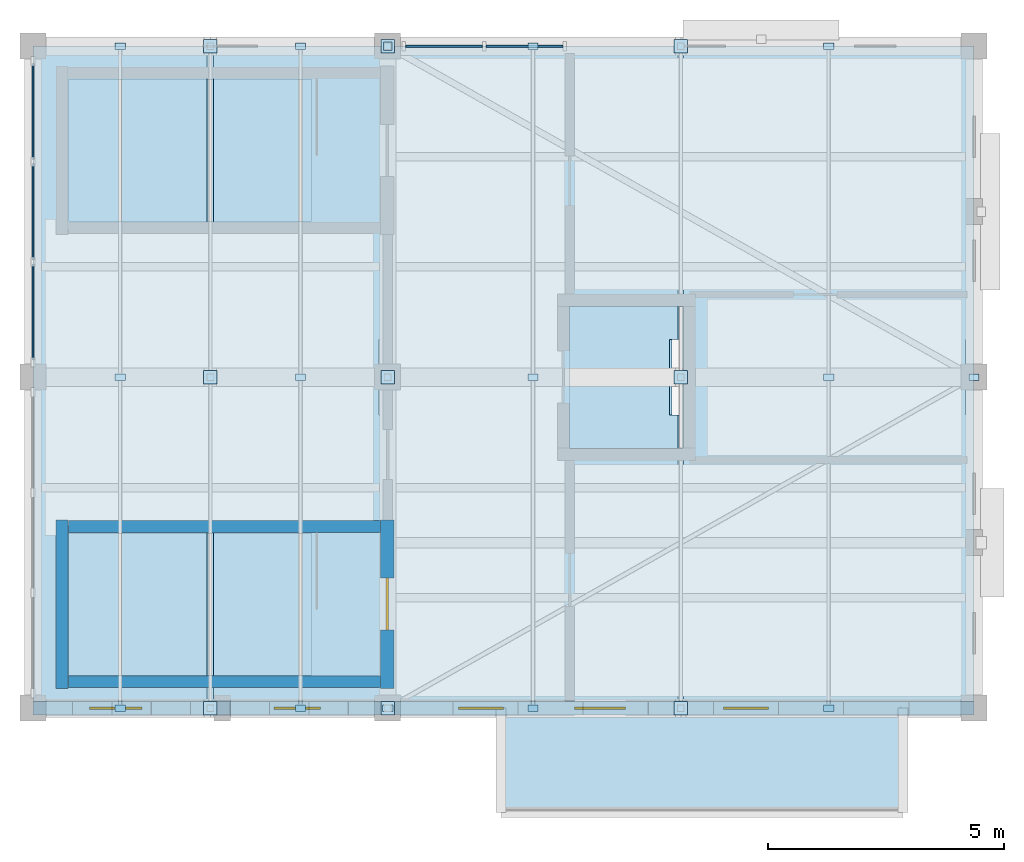
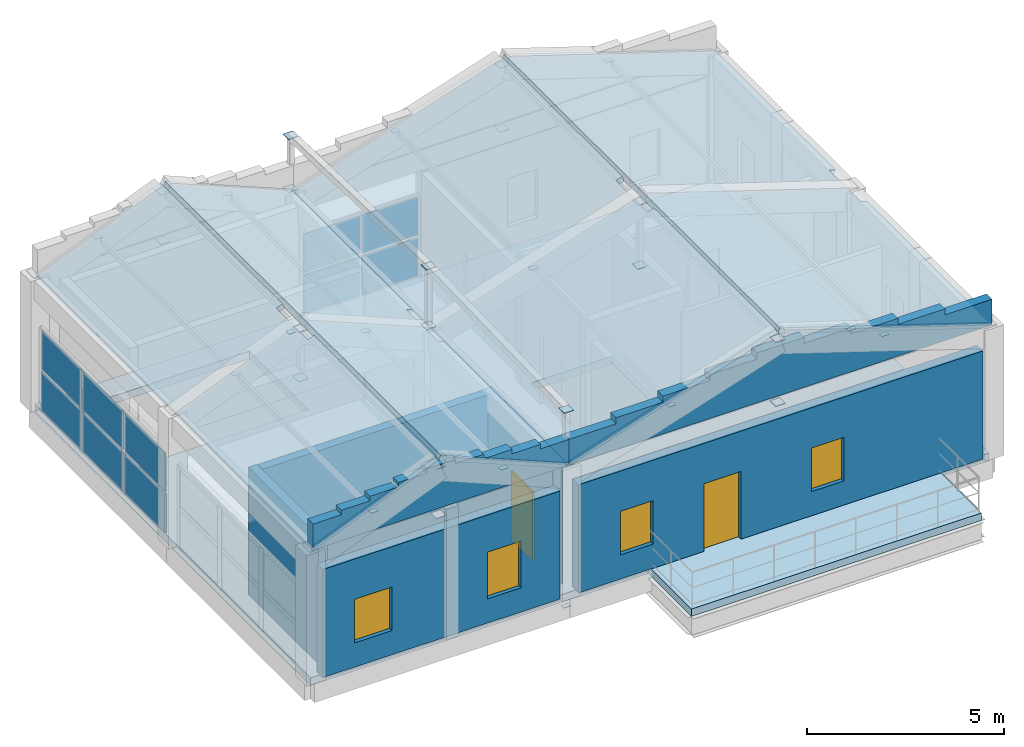
# One storey, part 6 of 8: 43 plates, 8 walls, 6 slabs, 4 windows, 2 doors, 6 openings, 2 elements without a shape of their own.
"""IFC4 building model written with IfcOpenShell, lengths in metres."""

from ifc_helpers import new_model, si_unit, direction, frame, frame_2d, origin, origin_2d, place, context, subcontext, project, spatial, polyline, rectangle, outline, extrude, material, layer, layer_set, type_object, element, fill, aggregate, save


model = new_model("IFC4")

# Units and contexts
model_context = context("Model", 3, precision=1e-05, world=origin(), true_north=direction((0.0, 1.0)))
body_context = subcontext(model_context, "Body", "Model", "MODEL_VIEW")
ifc_project = project(units=[si_unit("LENGTHUNIT", "METRE"), si_unit("AREAUNIT", "SQUARE_METRE"), si_unit("VOLUMEUNIT", "CUBIC_METRE"), si_unit("PLANEANGLEUNIT", "RADIAN"), si_unit("MASSUNIT", "GRAM", prefix="KILO")], contexts=[model_context])

# Site, building, storey
site_placement = place(None, origin())
site = spatial("IfcSite", under=ifc_project, at=site_placement, CompositionType="ELEMENT")
building_placement = place(site_placement, origin())
building = spatial("IfcBuilding", under=site, at=building_placement, Name="Trellovar Central Fire Station", CompositionType="ELEMENT")
storey_placement = place(building_placement, frame((0.0, 0.0, 22.050048828125)))
storey = spatial("IfcBuildingStorey", under=building, at=storey_placement, Name="L06", CompositionType="ELEMENT", Elevation=22.050048828125)

# Curtain wall, plate
ifc_material_1 = material(Name="Thermally broken bronze anodized aluminum", Category="aluminium")
ifc_layer_1 = layer(ifc_material_1, 0.159912109375)
ifc_layer_set_1 = layer_set([ifc_layer_1], Name="Thermally broken bronze anodized aluminum")
curtain_wall_type_1 = type_object("IfcCurtainWallType", Name="CW-09", PredefinedType="NOTDEFINED", material=ifc_layer_set_1)
curtain_wall_1_placement = place(storey_placement, origin())
curtain_wall_1 = element("IfcCurtainWall", 1, at=curtain_wall_1_placement, inside=storey, type_object=curtain_wall_type_1, Name="V2 L06 west drill yard curtain wall", PredefinedType="NOTDEFINED")
ifc_material_2 = material(Name="Double low-E solar control insulated glazing", Category="glass")
ifc_layer_2 = layer(ifc_material_2, 0.031982421875)
ifc_layer_set_2 = layer_set([ifc_layer_2], Name="Double low-E solar control insulated glazing")
plate_type_1 = type_object("IfcPlateType", Name="CWP-GL1", PredefinedType="CURTAIN_PANEL", material=ifc_layer_set_2)
plate_1_placement = place(storey_placement, frame((141.10009765625, 69.5, 1.31494140625), z_axis=(0.0, 0.0, 1.0), x_axis=(0.0, 1.0, 0.0)))
plate_1 = element("IfcPlate", 2, at=plate_1_placement, type_object=plate_type_1, Name="CW3-L06-0170 panel 2-2", PredefinedType="CURTAIN_PANEL", context=body_context, shape_type="SweptSolid", body=[
    extrude(rectangle(XDim=2.0400390625, YDim=0.031982421875, at=origin_2d()), origin(), (0.0, 0.0, 1.0), 1.195068359375),
])

ifc_material_3 = material(Name="Thermally broken bronze anodized aluminum", Category="aluminium")
ifc_layer_3 = layer(ifc_material_3, 0.159912109375)
ifc_layer_set_3 = layer_set([ifc_layer_3], Name="Thermally broken bronze anodized aluminum")
curtain_wall_type_2 = type_object("IfcCurtainWallType", Name="CW-08", PredefinedType="NOTDEFINED", material=ifc_layer_set_3)
curtain_wall_2_placement = place(storey_placement, origin())
curtain_wall_2 = element("IfcCurtainWall", 3, at=curtain_wall_2_placement, inside=storey, type_object=curtain_wall_type_2, Name="V2 L06 north lobby curtain wall", PredefinedType="NOTDEFINED")
ifc_material_4 = material(Name="Double low-E solar control insulated glazing", Category="glass")
ifc_layer_4 = layer(ifc_material_4, 0.035888671875)
ifc_layer_set_4 = layer_set([ifc_layer_4], Name="Double low-E solar control insulated glazing")
plate_type_2 = type_object("IfcPlateType", Name="CWP-GL2", PredefinedType="CURTAIN_PANEL", material=ifc_layer_set_4)
plate_2_placement = place(storey_placement, frame((151.49755859375, 73.0, 1.31494140625), z_axis=(0.0, 0.0, 1.0), x_axis=(-1.0, 0.0, 0.0)))
plate_2 = element("IfcPlate", 4, at=plate_2_placement, type_object=plate_type_2, Name="CW3-L06-0168 panel 1-2", PredefinedType="CURTAIN_PANEL", context=body_context, shape_type="SweptSolid", body=[
    extrude(rectangle(XDim=1.625, YDim=0.035888671875, at=origin_2d()), origin(), (0.0, 0.0, 1.0), 1.195068359375),
])

# Plate
plate_3_placement = place(storey_placement, frame((141.10009765625, 71.6201171875, 1.31494140625), z_axis=(0.0, 0.0, 1.0), x_axis=(0.0, 1.0, 0.0)))
plate_3 = element("IfcPlate", 5, at=plate_3_placement, type_object=plate_type_2, Name="CW3-L06-0170 panel 3-2", PredefinedType="CURTAIN_PANEL", context=body_context, shape_type="SweptSolid", body=[
    extrude(rectangle(XDim=2.0400390625, YDim=0.035888671875, at=origin_2d()), origin(), (0.0, 0.0, 1.0), 1.195068359375),
])

ifc_material_5 = material(Name="Double low-E solar control insulated glazing", Category="glass")
ifc_layer_5 = layer(ifc_material_5, 0.033935546875)
ifc_layer_set_5 = layer_set([ifc_layer_5], Name="Double low-E solar control insulated glazing")
plate_type_3 = type_object("IfcPlateType", Name="CWP-GL3", PredefinedType="CURTAIN_PANEL", material=ifc_layer_set_5)
plate_4_placement = place(storey_placement, frame((149.79248046875, 73.0, 1.31494140625), z_axis=(0.0, 0.0, 1.0), x_axis=(-1.0, 0.0, 0.0)))
plate_4 = element("IfcPlate", 6, at=plate_4_placement, type_object=plate_type_3, Name="CW3-L06-0168 panel 2-2", PredefinedType="CURTAIN_PANEL", context=body_context, shape_type="SweptSolid", body=[
    extrude(rectangle(XDim=1.625, YDim=0.033935546875, at=origin_2d()), origin(), (0.0, 0.0, 1.0), 1.195068359375),
])

ifc_material_6 = material(Name="Double low-E solar control insulated glazing", Category="glass")
ifc_layer_6 = layer(ifc_material_6, 0.030029296875)
ifc_layer_set_6 = layer_set([ifc_layer_6], Name="Double low-E solar control insulated glazing")
plate_type_4 = type_object("IfcPlateType", Name="CWP-GL4", PredefinedType="CURTAIN_PANEL", material=ifc_layer_set_6)
plate_5_placement = place(storey_placement, frame((141.10009765625, 67.3798828125, 1.31494140625), z_axis=(0.0, 0.0, 1.0), x_axis=(0.0, 1.0, 0.0)))
plate_5 = element("IfcPlate", 7, at=plate_5_placement, type_object=plate_type_4, Name="CW3-L06-0170 panel 1-2", PredefinedType="CURTAIN_PANEL", context=body_context, shape_type="SweptSolid", body=[
    extrude(rectangle(XDim=2.0400390625, YDim=0.030029296875, at=origin_2d()), origin(), (0.0, 0.0, 1.0), 1.195068359375),
])

ifc_material_7 = material(Name="Glazed ceramic trencadis and terracotta panel", Category="masonry")
ifc_layer_7 = layer(ifc_material_7, 0.048095703125)
ifc_layer_set_7 = layer_set([ifc_layer_7], Name="Glazed ceramic trencadis and terracotta panel")
plate_type_5 = type_object("IfcPlateType", Name="CWP-SP1", PredefinedType="CURTAIN_PANEL", material=ifc_layer_set_7)
plate_6_placement = place(storey_placement, frame((151.49755859375, 73.0, 0.0400390625), z_axis=(0.0, 0.0, 1.0), x_axis=(-1.0, 0.0, 0.0)))
plate_6 = element("IfcPlate", 8, at=plate_6_placement, type_object=plate_type_5, Name="CW3-L06-0168 panel 1-1", PredefinedType="CURTAIN_PANEL", context=body_context, shape_type="SweptSolid", body=[
    extrude(rectangle(XDim=1.625, YDim=0.048095703125, at=origin_2d()), origin(), (0.0, 0.0, 1.0), 1.195068359375),
])

plate_7_placement = place(storey_placement, frame((141.10009765625, 67.3798828125, 0.0400390625), z_axis=(0.0, 0.0, 1.0), x_axis=(0.0, 1.0, 0.0)))
plate_7 = element("IfcPlate", 9, at=plate_7_placement, type_object=plate_type_5, Name="CW3-L06-0170 panel 1-1", PredefinedType="CURTAIN_PANEL", context=body_context, shape_type="SweptSolid", body=[
    extrude(rectangle(XDim=2.0400390625, YDim=0.048095703125, at=origin_2d()), origin(), (0.0, 0.0, 1.0), 1.195068359375),
])

plate_8_placement = place(storey_placement, frame((141.10009765625, 71.6201171875, 0.0400390625), z_axis=(0.0, 0.0, 1.0), x_axis=(0.0, 1.0, 0.0)))
plate_8 = element("IfcPlate", 10, at=plate_8_placement, type_object=plate_type_5, Name="CW3-L06-0170 panel 3-1", PredefinedType="CURTAIN_PANEL", context=body_context, shape_type="SweptSolid", body=[
    extrude(rectangle(XDim=2.0400390625, YDim=0.048095703125, at=origin_2d()), origin(), (0.0, 0.0, 1.0), 1.195068359375),
])

ifc_material_8 = material(Name="Glazed ceramic trencadis and terracotta panel", Category="masonry")
ifc_layer_8 = layer(ifc_material_8, 0.044921875)
ifc_layer_set_8 = layer_set([ifc_layer_8], Name="Glazed ceramic trencadis and terracotta panel")
plate_type_6 = type_object("IfcPlateType", Name="CWP-SP2", PredefinedType="CURTAIN_PANEL", material=ifc_layer_set_8)
plate_9_placement = place(storey_placement, frame((149.79248046875, 73.0, 0.0400390625), z_axis=(0.0, 0.0, 1.0), x_axis=(-1.0, 0.0, 0.0)))
plate_9 = element("IfcPlate", 11, at=plate_9_placement, type_object=plate_type_6, Name="CW3-L06-0168 panel 2-1", PredefinedType="CURTAIN_PANEL", context=body_context, shape_type="SweptSolid", body=[
    extrude(rectangle(XDim=1.625, YDim=0.044921875, at=origin_2d()), origin(), (0.0, 0.0, 1.0), 1.195068359375),
])

aggregate(curtain_wall_2, [plate_6, plate_2, plate_9, plate_4])

plate_10_placement = place(storey_placement, frame((141.10009765625, 69.5, 0.0400390625), z_axis=(0.0, 0.0, 1.0), x_axis=(0.0, 1.0, 0.0)))
plate_10 = element("IfcPlate", 12, at=plate_10_placement, type_object=plate_type_6, Name="CW3-L06-0170 panel 2-1", PredefinedType="CURTAIN_PANEL", context=body_context, shape_type="SweptSolid", body=[
    extrude(rectangle(XDim=2.0400390625, YDim=0.044921875, at=origin_2d()), origin(), (0.0, 0.0, 1.0), 1.195068359375),
])

aggregate(curtain_wall_1, [plate_7, plate_5, plate_10, plate_1, plate_8, plate_3])

# Plates
ifc_material_9 = material(Name="Steel ASTM A36", Category="steel")
ifc_layer_9 = layer(ifc_material_9, 0.02001953125)
ifc_layer_set_9 = layer_set([ifc_layer_9], Name="Steel ASTM A36")
plate_type_7 = type_object("IfcPlateType", Name="PLT-EP2", PredefinedType="SHEET", material=ifc_layer_set_9)
for number, where, z_axis, x_axis, name in (
    (13, (144.85009765625, 59.0, 3.739990234375), (0.0, 0.0, 1.0), (1.0, 0.0, 0.0), "HSS end-cap plate 501"),
    (14, (144.85009765625, 59.0, 5.27001953125), (0.0, 0.0, 1.0), (1.0, 0.0, 0.0), "HSS end-cap plate 502"),
    (15, (144.85009765625, 66.0, 3.739990234375), (0.0, 0.0, 1.0), (1.0, 0.0, 0.0), "HSS end-cap plate 503"),
    (16, (144.85009765625, 66.0, 5.27001953125), (0.0, 0.0, 1.0), (1.0, 0.0, 0.0), "HSS end-cap plate 504"),
    (17, (144.85009765625, 73.0, 3.739990234375), (0.0, 0.0, 1.0), (1.0, 0.0, 0.0), "HSS end-cap plate 505"),
    (18, (144.85009765625, 73.0, 5.27001953125), (0.0, 0.0, 1.0), (1.0, 0.0, 0.0), "HSS end-cap plate 506"),
    (19, (154.800048828125, 59.0, 3.739990234375), (0.0, 0.0, 1.0), (1.0, 0.0, 0.0), "HSS end-cap plate 513"),
    (20, (154.800048828125, 59.0, 5.719970703125), (0.0, 0.0, 1.0), (1.0, 0.0, 0.0), "HSS end-cap plate 514"),
    (21, (154.800048828125, 66.0, 3.739990234375), (0.0, 0.0, 1.0), (1.0, 0.0, 0.0), "HSS end-cap plate 515"),
    (22, (154.800048828125, 66.0, 5.719970703125), (0.0, 0.0, 1.0), (1.0, 0.0, 0.0), "HSS end-cap plate 516"),
    (23, (154.800048828125, 73.0, 3.739990234375), (0.0, 0.0, 1.0), (1.0, 0.0, 0.0), "HSS end-cap plate 517"),
    (24, (154.800048828125, 73.0, 5.719970703125), (0.0, 0.0, 1.0), (1.0, 0.0, 0.0), "HSS end-cap plate 518"),
    (25, (148.60009765625, 59.0, 4.0400390625), (0.0, 0.0, 1.0), (1.0, 0.0, 0.0), "HSS end-cap plate 525"),
    (26, (148.60009765625, 59.0, 5.68994140625), (0.0, 0.0, 1.0), (1.0, 0.0, 0.0), "HSS end-cap plate 526"),
    (27, (148.60009765625, 66.0, 4.0400390625), (0.0, 0.0, 1.0), (1.0, 0.0, 0.0), "HSS end-cap plate 527"),
    (28, (148.60009765625, 66.0, 5.889892578125), (0.0, 0.0, 1.0), (1.0, 0.0, 0.0), "HSS end-cap plate 528"),
    (29, (148.60009765625, 73.0, 4.0400390625), (0.0, 0.0, 1.0), (1.0, 0.0, 0.0), "HSS end-cap plate 529"),
    (30, (148.60009765625, 73.0, 5.68994140625), (0.0, 0.0, 1.0), (1.0, 0.0, 0.0), "HSS end-cap plate 530"),
):
    element("IfcPlate", number, at=place(storey_placement, frame(where, z_axis=z_axis, x_axis=x_axis)), inside=storey, type_object=plate_type_7, Name=name, PredefinedType="SHEET", context=body_context, shape_type="SweptSolid", body=[
        extrude(rectangle(XDim=0.280029296875, YDim=0.280029296875, at=origin_2d()), origin(), (0.0, 0.0, 1.0), 0.02001953125),
    ])
ifc_material_10 = material(Name="Steel ASTM A36", Category="steel")
ifc_layer_10 = layer(ifc_material_10, 0.01611328125)
ifc_layer_set_10 = layer_set([ifc_layer_10], Name="Steel ASTM A36")
plate_type_8 = type_object("IfcPlateType", Name="PLT-EP4", PredefinedType="SHEET", material=ifc_layer_set_10)
for number, where, z_axis, x_axis, name in (
    (31, (142.9423828125, 59.0, 4.5234375), (0.0, 0.0, 1.0), (1.0, 0.0, 0.0), "HSS end-cap plate 507"),
    (32, (142.9423828125, 66.0, 4.5234375), (0.0, 0.0, 1.0), (1.0, 0.0, 0.0), "HSS end-cap plate 508"),
    (33, (142.9423828125, 73.0, 4.5234375), (0.0, 0.0, 1.0), (1.0, 0.0, 0.0), "HSS end-cap plate 509"),
    (34, (146.757568359375, 59.0, 4.5234375), (0.0, 0.0, 1.0), (1.0, 0.0, 0.0), "HSS end-cap plate 510"),
    (35, (146.757568359375, 66.0, 4.5234375), (0.0, 0.0, 1.0), (1.0, 0.0, 0.0), "HSS end-cap plate 511"),
    (36, (146.757568359375, 73.0, 4.5234375), (0.0, 0.0, 1.0), (1.0, 0.0, 0.0), "HSS end-cap plate 512"),
    (37, (151.673828125, 59.0, 4.75341796875), (0.0, 0.0, 1.0), (1.0, 0.0, 0.0), "HSS end-cap plate 519"),
    (38, (151.673828125, 66.0, 4.75341796875), (0.0, 0.0, 1.0), (1.0, 0.0, 0.0), "HSS end-cap plate 520"),
    (39, (151.673828125, 73.0, 4.75341796875), (0.0, 0.0, 1.0), (1.0, 0.0, 0.0), "HSS end-cap plate 521"),
    (40, (157.926025390625, 59.0, 4.75341796875), (0.0, 0.0, 1.0), (1.0, 0.0, 0.0), "HSS end-cap plate 522"),
    (41, (157.926025390625, 66.0, 4.75341796875), (0.0, 0.0, 1.0), (1.0, 0.0, 0.0), "HSS end-cap plate 523"),
    (42, (157.926025390625, 73.0, 4.75341796875), (0.0, 0.0, 1.0), (1.0, 0.0, 0.0), "HSS end-cap plate 524"),
    (43, (148.60009765625, 59.0, -0.398193359375), (0.0, 0.0, 1.0), (1.0, 0.0, 0.0), "HSS end-cap plate 540"),
    (44, (161.0, 66.0, -0.398193359375), (0.0, 0.0, 1.0), (1.0, 0.0, 0.0), "HSS end-cap plate 541"),
):
    element("IfcPlate", number, at=place(storey_placement, frame(where, z_axis=z_axis, x_axis=x_axis)), inside=storey, type_object=plate_type_8, Name=name, PredefinedType="SHEET", context=body_context, shape_type="SweptSolid", body=[
        extrude(rectangle(XDim=0.219970703125, YDim=0.139892578125, at=origin_2d()), origin(), (0.0, 0.0, 1.0), 0.01611328125),
    ])
ifc_material_11 = material(Name="Steel ASTM A36", Category="steel")
ifc_layer_11 = layer(ifc_material_11, 0.01611328125)
ifc_layer_set_11 = layer_set([ifc_layer_11], Name="Steel ASTM A36")
plate_type_9 = type_object("IfcPlateType", Name="PLT-EP5", PredefinedType="SHEET", material=ifc_layer_set_11)
plate_11_placement = place(storey_placement, frame((148.60009765625, 73.0, -0.398193359375), z_axis=(0.0, 0.0, 1.0), x_axis=(1.0, 0.0, 0.0)))
element("IfcPlate", 45, at=plate_11_placement, inside=storey, type_object=plate_type_9, Name="HSS end-cap plate 542", PredefinedType="SHEET", context=body_context, shape_type="SweptSolid", body=[
    extrude(rectangle(XDim=0.179931640625, YDim=0.179931640625, at=origin_2d()), origin(), (0.0, 0.0, 1.0), 0.01611328125),
])

# Slabs
ifc_material_12 = material(Name="Concrete C40/50", Category="concrete")
ifc_layer_12 = layer(ifc_material_12, 0.239990234375)
ifc_layer_set_12 = layer_set([ifc_layer_12], Name="Concrete C40/50")
slab_type_1 = type_object("IfcSlabType", Name="SLB-FL240", PredefinedType="FLOOR", material=ifc_layer_set_12)
slab_1_placement = place(storey_placement, frame((0.0, 0.0, -0.239990234375)))
element("IfcSlab", 46, at=slab_1_placement, inside=storey, type_object=slab_type_1, Name="V2 Drill Tower L06 training deck slab", PredefinedType="FLOOR", context=body_context, shape_type="SweptSolid", body=[
    extrude(outline(polyline([(141.10009765625, 59.0), (161.0, 59.0), (161.0, 73.0), (141.10009765625, 73.0), (141.10009765625, 59.0)]), holes=[polyline([(146.989990234375, 62.699951171875), (141.85009765625, 62.699951171875), (141.85009765625, 59.699951171875), (146.989990234375, 59.699951171875), (146.989990234375, 62.699951171875)]), polyline([(146.989990234375, 72.300048828125), (141.85009765625, 72.300048828125), (141.85009765625, 69.300048828125), (146.989990234375, 69.300048828125), (146.989990234375, 72.300048828125)]), polyline([(152.449951171875, 64.5), (154.85009765625, 64.5), (154.85009765625, 67.5), (152.449951171875, 67.5), (152.449951171875, 64.5)])]), origin(), (0.0, 0.0, 1.0), 0.239990234375),
])
ifc_material_13 = material(Name="Concrete C40/50", Category="concrete")
ifc_layer_13 = layer(ifc_material_13, 0.22998046875)
ifc_layer_set_13 = layer_set([ifc_layer_13], Name="Concrete C40/50")
slab_type_2 = type_object("IfcSlabType", Name="SLB-TER230", PredefinedType="FLOOR", material=ifc_layer_set_13)
slab_2_placement = place(storey_placement, frame((0.0, 0.0, -0.22998046875)))
element("IfcSlab", 47, at=slab_2_placement, inside=storey, type_object=slab_type_2, Name="V2 L06 walkable outdoor terrace slab", PredefinedType="FLOOR", context=body_context, shape_type="SweptSolid", body=[
    extrude(outline(polyline([(151.0, 56.800048828125), (159.5, 56.800048828125), (159.5, 59.0), (151.0, 59.0), (151.0, 56.800048828125)])), origin(), (0.0, 0.0, 1.0), 0.22998046875),
])
ifc_material_14 = material(Name="Concrete C40/50", Category="concrete")
ifc_layer_14 = layer(ifc_material_14, 0.169921875)
ifc_layer_set_14 = layer_set([ifc_layer_14], Name="Concrete C40/50")
slab_type_3 = type_object("IfcSlabType", Name="SLB-VLT170", PredefinedType="ROOF", material=ifc_layer_set_14)
slab_3_placement = place(storey_placement, frame((141.10205078125, 59.0, 4.05078125), z_axis=(-0.381976583091, 0.0, 0.924172002373), x_axis=(0.924172002373, 0.0, 0.381976583091)))
element("IfcSlab", 48, at=slab_3_placement, inside=storey, type_object=slab_type_3, Name="V2W Catalan barrel vault slab 01-01", PredefinedType="ROOF", context=body_context, shape_type="SweptSolid", body=[
    extrude(outline(polyline([(0.0, 0.0), (3.983189335352353, 0.0), (3.983189335352353, 6.199951171875), (3.788232842287404, 6.199951171875), (3.788232842287404, 7.800048828125), (3.983189335352353, 7.800048828125), (3.983189335352353, 14.0), (0.0, 14.0), (0.0, 0.0)])), origin(), (0.0, 0.0, -1.0), 0.169921875),
])
slab_4_placement = place(storey_placement, frame((144.9169921875, 59.0, 5.572265625), z_axis=(0.381995855908, 0.0, 0.924164036343), x_axis=(0.924164036343, 0.0, -0.381995855908)))
element("IfcSlab", 49, at=slab_4_placement, inside=storey, type_object=slab_type_3, Name="V2W Catalan barrel vault slab 01-02", PredefinedType="ROOF", context=body_context, shape_type="SweptSolid", body=[
    extrude(outline(polyline([(0.0, 0.0), (3.9829637084854963, 0.0), (3.9829637084854963, 6.199951171875002), (3.7882328415820625, 6.199951171875002), (3.7882328415820625, 7.800048828125002), (3.9829637084854963, 7.800048828125002), (3.9829637084854963, 14.000000000000004), (0.0, 14.000000000000004), (0.0, 0.0)])), origin(), (0.0, 0.0, -1.0), 0.169921875),
])
for number, where, z_axis, x_axis, name in (
    (50, (148.60205078125, 59.0, 4.050537109375), (-0.307010635679, 0.0, 0.95170608361), (0.95170608361, 0.0, 0.307010635679), "V2E Catalan barrel vault slab 01-01"),
    (51, (154.854248046875, 59.0, 6.032470703125), (0.307010635679, 0.0, 0.95170608361), (0.95170608361, 0.0, -0.307010635679), "V2E Catalan barrel vault slab 01-02"),
):
    element("IfcSlab", number, at=place(storey_placement, frame(where, z_axis=z_axis, x_axis=x_axis)), inside=storey, type_object=slab_type_3, Name=name, PredefinedType="ROOF", context=body_context, shape_type="SweptSolid", body=[
        extrude(outline(polyline([(0.0, 0.0), (6.45556541369231, 0.0), (6.45556541369231, 6.199951171875), (6.266484379778235, 6.199951171875), (6.266484379778235, 7.800048828125), (6.45556541369231, 7.800048828125), (6.45556541369231, 14.0), (0.0, 14.0), (0.0, 0.0)])), origin(), (0.0, 0.0, -1.0), 0.169921875),
    ])

# Wall, openings, windows
ifc_material_15 = material(Name="Glazed ceramic trencadis and terracotta panel", Category="masonry")
ifc_layer_15 = layer(ifc_material_15, 0.300048828125)
ifc_layer_set_15 = layer_set([ifc_layer_15], Name="Glazed ceramic trencadis and terracotta panel")
wall_type_1 = type_object("IfcWallType", Name="EW-4", PredefinedType="STANDARD", material=ifc_layer_set_15)
wall_1_placement = place(storey_placement, frame((141.375, 59.0, 0.0), z_axis=(0.0, 0.0, 1.0), x_axis=(1.0, 0.0, 0.0)))
wall_1 = element("IfcWall", 52, at=wall_1_placement, inside=storey, type_object=wall_type_1, Name="V2 L06 south west bay wall", PredefinedType="STANDARD", context=body_context, shape_type="SweptSolid", body=[
    extrude(rectangle(XDim=6.949951171875, YDim=0.300048828125, at=frame_2d((3.47509765625, 0.0))), origin(), (0.0, 0.0, 1.0), 3.349853515625),
])
opening_1_placement = place(wall_1_placement, frame((0.925048828125, 0.0, 0.75)))
opening_1 = element("IfcOpeningElement", 53, at=opening_1_placement, cuts=wall_1, Name="Opening W-17", PredefinedType="OPENING", context=body_context, shape_type="SweptSolid", body=[
    extrude(rectangle(XDim=1.10009765625, YDim=1.35009765625, at=frame_2d((0.550048828125, 0.675048828125))), frame((0.0, 0.159912109375, 0.0), z_axis=(0.0, -1.0, 0.0), x_axis=(1.0, 0.0, 0.0)), (0.0, 0.0, 1.0), 0.320068359375),
])
opening_2_placement = place(wall_1_placement, frame((4.824951171875, 0.0, 0.75)))
opening_2 = element("IfcOpeningElement", 54, at=opening_2_placement, cuts=wall_1, Name="Opening W-20", PredefinedType="OPENING", context=body_context, shape_type="SweptSolid", body=[
    extrude(rectangle(XDim=0.97998046875, YDim=1.449951171875, at=frame_2d((0.489990234375, 0.72509765625))), frame((0.0, 0.159912109375, 0.0), z_axis=(0.0, -1.0, 0.0), x_axis=(1.0, 0.0, 0.0)), (0.0, 0.0, 1.0), 0.320068359375),
])
ifc_material_16 = material(Name="Thermally broken bronze anodized aluminum", Category="aluminium")
window_type_1 = type_object("IfcWindowType", Name="WIN-17", PartitioningType="SINGLE_PANEL", PredefinedType="WINDOW", material=ifc_material_16)
window_1_placement = place(opening_1_placement, origin())
window_1 = element("IfcWindow", 55, at=window_1_placement, inside=storey, type_object=window_type_1, Name="L06 window W-17", OverallHeight=1.35009765625, OverallWidth=1.10009765625, PartitioningType="SINGLE_PANEL", PredefinedType="WINDOW", context=body_context, shape_type="SweptSolid", body=[
    extrude(rectangle(XDim=1.10009765625, YDim=1.35009765625, at=frame_2d((0.550048828125, 0.675048828125))), frame((0.0, 0.030029296875, 0.0), z_axis=(0.0, -1.0, 0.0), x_axis=(1.0, 0.0, 0.0)), (0.0, 0.0, 1.0), 0.06005859375),
])
fill(opening_1, window_1)
ifc_material_17 = material(Name="Thermally broken bronze anodized aluminum", Category="aluminium")
window_type_2 = type_object("IfcWindowType", Name="WIN-20", PartitioningType="SINGLE_PANEL", PredefinedType="WINDOW", material=ifc_material_17)
window_2_placement = place(opening_2_placement, origin())
window_2 = element("IfcWindow", 56, at=window_2_placement, inside=storey, type_object=window_type_2, Name="L06 window W-20", OverallHeight=1.449951171875, OverallWidth=0.97998046875, PartitioningType="SINGLE_PANEL", PredefinedType="WINDOW", context=body_context, shape_type="SweptSolid", body=[
    extrude(rectangle(XDim=0.97998046875, YDim=1.449951171875, at=frame_2d((0.489990234375, 0.72509765625))), frame((0.0, 0.030029296875, 0.0), z_axis=(0.0, -1.0, 0.0), x_axis=(1.0, 0.0, 0.0)), (0.0, 0.0, 1.0), 0.06005859375),
])
fill(opening_2, window_2)

# Wall, openings, door, windows
wall_2_placement = place(storey_placement, frame((148.875, 59.0, 0.0), z_axis=(0.0, 0.0, 1.0), x_axis=(1.0, 0.0, 0.0)))
wall_2 = element("IfcWall", 57, at=wall_2_placement, inside=storey, type_object=wall_type_1, Name="V2 L06 south training deck wall", PredefinedType="STANDARD", context=body_context, shape_type="SweptSolid", body=[
    extrude(rectangle(XDim=11.85009765625, YDim=0.300048828125, at=frame_2d((5.925048828125, 0.0))), origin(), (0.0, 0.0, 1.0), 3.349853515625),
])
opening_3_placement = place(wall_2_placement, frame((3.675048828125, 0.0, 0.0)))
opening_3 = element("IfcOpeningElement", 58, at=opening_3_placement, cuts=wall_2, Name="Opening EX-3", PredefinedType="OPENING", context=body_context, shape_type="SweptSolid", body=[
    extrude(rectangle(XDim=1.080078125, YDim=2.10009765625, at=frame_2d((0.5400390625, 1.050048828125))), frame((0.0, 0.159912109375, 0.0), z_axis=(0.0, -1.0, 0.0), x_axis=(1.0, 0.0, 0.0)), (0.0, 0.0, 1.0), 0.320068359375),
])
opening_4_placement = place(wall_2_placement, frame((1.22509765625, 0.0, 0.75)))
opening_4 = element("IfcOpeningElement", 59, at=opening_4_placement, cuts=wall_2, Name="Opening W-05", PredefinedType="OPENING", context=body_context, shape_type="SweptSolid", body=[
    extrude(rectangle(XDim=0.949951171875, YDim=1.35009765625, at=frame_2d((0.47509765625, 0.675048828125))), frame((0.0, 0.159912109375, 0.0), z_axis=(0.0, -1.0, 0.0), x_axis=(1.0, 0.0, 0.0)), (0.0, 0.0, 1.0), 0.320068359375),
])
opening_5_placement = place(wall_2_placement, frame((6.824951171875, 0.0, 0.75)))
opening_5 = element("IfcOpeningElement", 60, at=opening_5_placement, cuts=wall_2, Name="Opening W-05", PredefinedType="OPENING", context=body_context, shape_type="SweptSolid", body=[
    extrude(rectangle(XDim=0.949951171875, YDim=1.35009765625, at=frame_2d((0.47509765625, 0.675048828125))), frame((0.0, 0.159912109375, 0.0), z_axis=(0.0, -1.0, 0.0), x_axis=(1.0, 0.0, 0.0)), (0.0, 0.0, 1.0), 0.320068359375),
])
ifc_material_18 = material(Name="Thermally broken bronze anodized aluminum", Category="aluminium")
door_type_1 = type_object("IfcDoorType", Name="DR-EXT3", OperationType="SINGLE_SWING_LEFT", PredefinedType="DOOR", material=ifc_material_18)
door_1_placement = place(opening_3_placement, frame((1.080078125, 0.0, 0.0), z_axis=(0.0, 0.0, 1.0), x_axis=(-1.0, 0.0, 0.0)))
door_1 = element("IfcDoor", 61, at=door_1_placement, inside=storey, type_object=door_type_1, Name="V2 L06 rappel training balcony door", OperationType="SINGLE_SWING_LEFT", OverallHeight=2.10009765625, OverallWidth=1.080078125, PredefinedType="DOOR", context=body_context, shape_type="SweptSolid", body=[
    extrude(rectangle(XDim=1.080078125, YDim=2.10009765625, at=frame_2d((0.5400390625, 1.050048828125))), frame((0.0, 0.02490234375, 0.0), z_axis=(0.0, -1.0, 0.0), x_axis=(1.0, 0.0, 0.0)), (0.0, 0.0, 1.0), 0.050048828125),
])
fill(opening_3, door_1)
ifc_material_19 = material(Name="Thermally broken bronze anodized aluminum", Category="aluminium")
window_type_3 = type_object("IfcWindowType", Name="WIN-05", PartitioningType="SINGLE_PANEL", PredefinedType="WINDOW", material=ifc_material_19)
window_3_placement = place(opening_4_placement, origin())
window_3 = element("IfcWindow", 62, at=window_3_placement, inside=storey, type_object=window_type_3, Name="V2 L06 bailout training window W", OverallHeight=1.35009765625, OverallWidth=0.949951171875, PartitioningType="SINGLE_PANEL", PredefinedType="WINDOW", context=body_context, shape_type="SweptSolid", body=[
    extrude(rectangle(XDim=0.949951171875, YDim=1.35009765625, at=frame_2d((0.47509765625, 0.675048828125))), frame((0.0, 0.030029296875, 0.0), z_axis=(0.0, -1.0, 0.0), x_axis=(1.0, 0.0, 0.0)), (0.0, 0.0, 1.0), 0.06005859375),
])
fill(opening_4, window_3)
window_4_placement = place(opening_5_placement, origin())
window_4 = element("IfcWindow", 63, at=window_4_placement, inside=storey, type_object=window_type_3, Name="V2 L06 bailout training window E", OverallHeight=1.35009765625, OverallWidth=0.949951171875, PartitioningType="SINGLE_PANEL", PredefinedType="WINDOW", context=body_context, shape_type="SweptSolid", body=[
    extrude(rectangle(XDim=0.949951171875, YDim=1.35009765625, at=frame_2d((0.47509765625, 0.675048828125))), frame((0.0, 0.030029296875, 0.0), z_axis=(0.0, -1.0, 0.0), x_axis=(1.0, 0.0, 0.0)), (0.0, 0.0, 1.0), 0.06005859375),
])
fill(opening_5, window_4)

# Walls
ifc_material_20 = material(Name="Catalan polychrome brickwork with insulated cavity", Category="masonry")
ifc_layer_16 = layer(ifc_material_20, 0.280029296875)
ifc_layer_set_16 = layer_set([ifc_layer_16], Name="Catalan polychrome brickwork with insulated cavity")
wall_type_2 = type_object("IfcWallType", Name="PAR-1", PredefinedType="PARAPET", material=ifc_layer_set_16)
wall_3_placement = place(storey_placement, frame((141.10009765625, 59.0, 4.050048828125), z_axis=(0.0, 0.0, 1.0), x_axis=(1.0, 0.0, 0.0)))
element("IfcWall", 64, at=wall_3_placement, inside=storey, type_object=wall_type_2, Name="L06 Catalan stepped parapet", PredefinedType="PARAPET", context=body_context, shape_type="SweptSolid", body=[
    extrude(outline(polyline([(0.0, 0.0), (7.5, 0.0), (7.5, 0.7998046875), (6.667724609375, 0.7998046875), (6.666748046875, 0.9375), (5.834228515625, 0.9375), (5.833251953125, 1.074951171875), (5.0009765625, 1.074951171875), (5.0, 1.21240234375), (4.167724609375, 1.21240234375), (4.166748046875, 1.349853515625), (3.334228515625, 1.349853515625), (3.333251953125, 1.21240234375), (2.5009765625, 1.21240234375), (2.5, 1.074951171875), (1.667724609375, 1.074951171875), (1.666748046875, 0.9375), (0.834228515625, 0.9375), (0.833251953125, 0.7998046875), (0.0, 0.7998046875), (0.0, 0.0)])), frame((0.0, 0.14013671875, 0.0), z_axis=(0.0, -1.0, 0.0), x_axis=(1.0, 0.0, 0.0)), (0.0, 0.0, 1.0), 0.280029296875),
])
wall_4_placement = place(storey_placement, frame((148.60009765625, 59.0, 4.050048828125), z_axis=(0.0, 0.0, 1.0), x_axis=(1.0, 0.0, 0.0)))
element("IfcWall", 65, at=wall_4_placement, inside=storey, type_object=wall_type_2, Name="L06 Catalan stepped parapet", PredefinedType="PARAPET", context=body_context, shape_type="SweptSolid", body=[
    extrude(outline(polyline([(0.0, 0.0), (12.39990234375, 0.0), (12.39990234375, 0.7998046875), (11.023193359375, 0.7998046875), (11.022216796875, 0.9873046875), (9.6455078125, 0.9873046875), (9.644287109375, 1.1748046875), (8.267578125, 1.1748046875), (8.2666015625, 1.3623046875), (6.889892578125, 1.3623046875), (6.888916015625, 1.5498046875), (5.51220703125, 1.5498046875), (5.510986328125, 1.3623046875), (4.13427734375, 1.3623046875), (4.13330078125, 1.1748046875), (2.756591796875, 1.1748046875), (2.755615234375, 0.9873046875), (1.37890625, 0.9873046875), (1.377685546875, 0.7998046875), (0.0, 0.7998046875), (0.0, 0.0)])), frame((0.0, 0.14013671875, 0.0), z_axis=(0.0, -1.0, 0.0), x_axis=(1.0, 0.0, 0.0)), (0.0, 0.0, 1.0), 0.280029296875),
])

# Wall, opening, door
ifc_material_21 = material(Name="Concrete C40/50", Category="concrete")
ifc_layer_17 = layer(ifc_material_21, 0.280029296875)
ifc_layer_set_17 = layer_set([ifc_layer_17], Name="Concrete C40/50")
wall_type_3 = type_object("IfcWallType", Name="SW-1", PredefinedType="SHEAR", material=ifc_layer_set_17)
wall_5_placement = place(storey_placement, frame((148.590087890625, 62.97998046875, 0.0), z_axis=(0.0, 0.0, 1.0), x_axis=(0.0, -1.0, 0.0)))
wall_5 = element("IfcWall", 66, at=wall_5_placement, inside=storey, type_object=wall_type_3, Name="Stair ST-05 L06 front corridor wall", PredefinedType="SHEAR", context=body_context, shape_type="SweptSolid", body=[
    extrude(rectangle(XDim=3.56005859375, YDim=0.280029296875, at=frame_2d((1.780029296875, 0.0))), origin(), (0.0, 0.0, 1.0), 3.949951171875),
])
opening_6_placement = place(wall_5_placement, frame((1.22998046875, 0.0, 0.0)))
opening_6 = element("IfcOpeningElement", 67, at=opening_6_placement, cuts=wall_5, Name="Opening SD-2", PredefinedType="OPENING", context=body_context, shape_type="SweptSolid", body=[
    extrude(rectangle(XDim=1.10009765625, YDim=2.14990234375, at=frame_2d((0.550048828125, 1.074951171875))), frame((0.0, 0.14990234375, 0.0), z_axis=(0.0, -1.0, 0.0), x_axis=(1.0, 0.0, 0.0)), (0.0, 0.0, 1.0), 0.300048828125),
])
ifc_material_22 = material(Name="Hollow galvanized steel with acoustic core", Category="steel")
door_type_2 = type_object("IfcDoorType", Name="DR-STR2", OperationType="SINGLE_SWING_LEFT", PredefinedType="DOOR", material=ifc_material_22)
door_2_placement = place(opening_6_placement, origin())
door_2 = element("IfcDoor", 68, at=door_2_placement, inside=storey, type_object=door_type_2, Name="Stair ST-05 L06 fire door", OperationType="SINGLE_SWING_RIGHT", OverallHeight=2.14990234375, OverallWidth=1.10009765625, PredefinedType="DOOR", context=body_context, shape_type="SweptSolid", body=[
    extrude(rectangle(XDim=1.10009765625, YDim=2.14990234375, at=frame_2d((0.550048828125, 1.074951171875))), frame((0.0, 0.02490234375, 0.0), z_axis=(0.0, -1.0, 0.0), x_axis=(1.0, 0.0, 0.0)), (0.0, 0.0, 1.0), 0.050048828125),
])
fill(opening_6, door_2)

# Walls
ifc_material_23 = material(Name="Concrete C40/50", Category="concrete")
ifc_layer_18 = layer(ifc_material_23, 0.25)
ifc_layer_set_18 = layer_set([ifc_layer_18], Name="Concrete C40/50")
wall_type_4 = type_object("IfcWallType", Name="SW-2", PredefinedType="SHEAR", material=ifc_layer_set_18)
wall_6_placement = place(storey_placement, frame((141.7099609375, 59.419921875, 0.0), z_axis=(0.0, 0.0, 1.0), x_axis=(0.0, 1.0, 0.0)))
element("IfcWall", 69, at=wall_6_placement, inside=storey, type_object=wall_type_4, Name="Stair ST-05 L06 rear wall", PredefinedType="SHEAR", context=body_context, shape_type="SweptSolid", body=[
    extrude(rectangle(XDim=3.56005859375, YDim=0.25, at=frame_2d((1.780029296875, 0.0))), origin(), (0.0, 0.0, 1.0), 3.949951171875),
])
for number, where, z_axis, x_axis, name in (
    (70, (148.449951171875, 62.840087890625, 0.0), (0.0, 0.0, 1.0), (-1.0, 0.0, 0.0), "Stair ST-05 L06 left wall"),
    (71, (141.85009765625, 59.56005859375, 0.0), (0.0, 0.0, 1.0), (1.0, 0.0, 0.0), "Stair ST-05 L06 right wall"),
):
    element("IfcWall", number, at=place(storey_placement, frame(where, z_axis=z_axis, x_axis=x_axis)), inside=storey, type_object=wall_type_4, Name=name, PredefinedType="SHEAR", context=body_context, shape_type="SweptSolid", body=[
        extrude(rectangle(XDim=6.599853515625, YDim=0.25, at=frame_2d((3.2998046875, 0.0))), origin(), (0.0, 0.0, 1.0), 3.949951171875),
    ])

save(model, "model.ifc")
